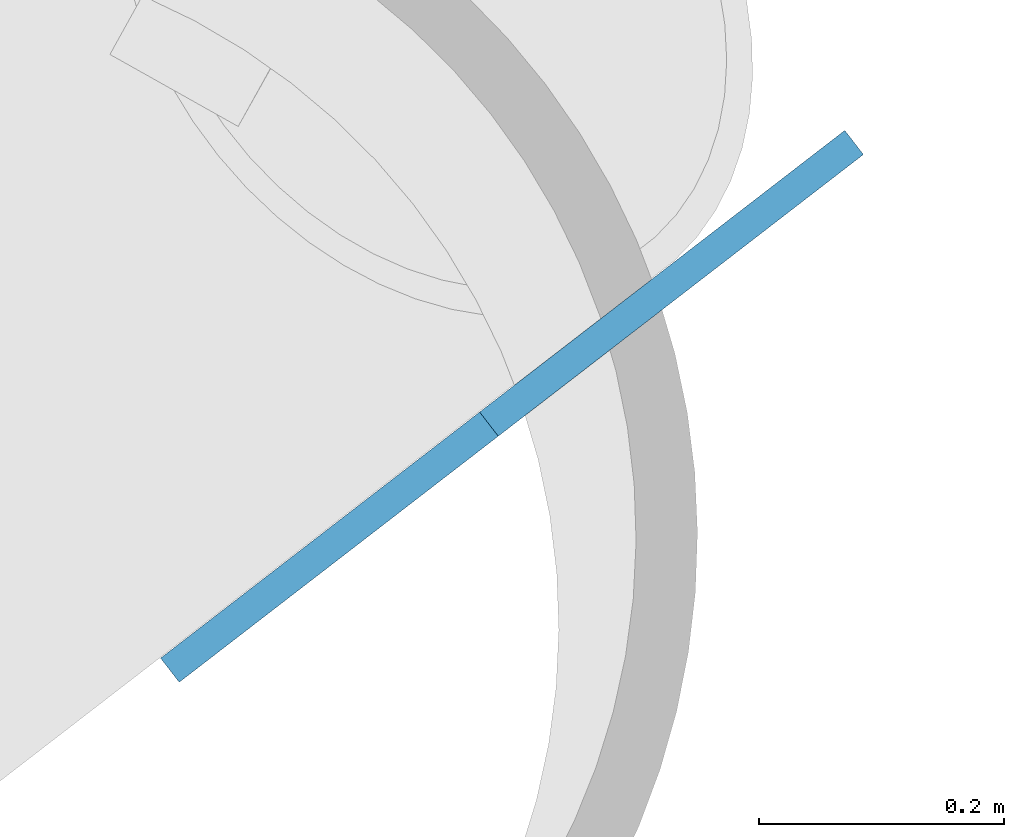
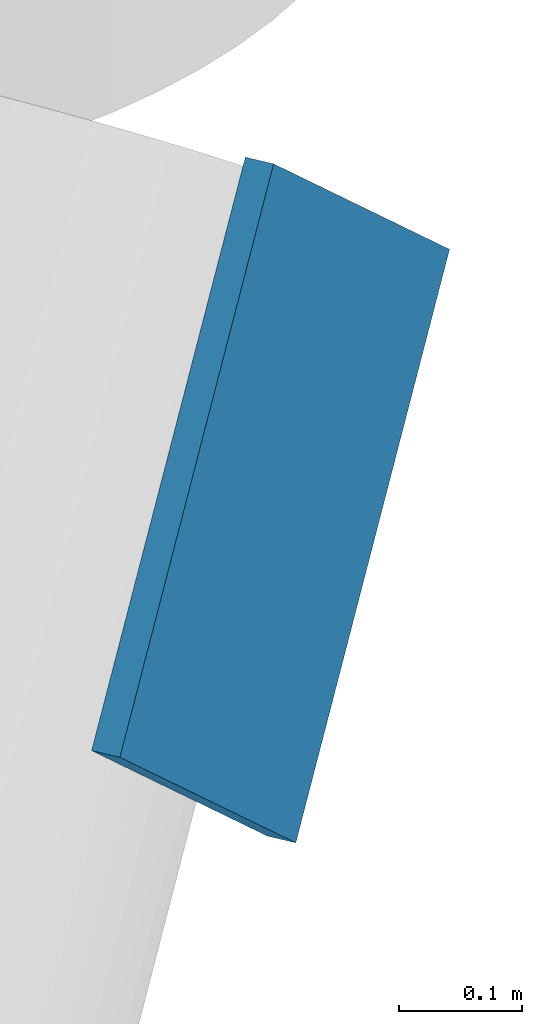
# One storey, part 12 of 22: 1 discrete accessory.
"""IFC4 building model written with IfcOpenShell, lengths in metres."""

from ifc_helpers import new_model, si_unit, direction, frame, origin, origin_2d, place, context, subcontext, project, spatial, rectangle, extrude, material, material_profile, profile_set, type_object, element, save


model = new_model("IFC4")

# Units and contexts
model_context = context("Model", 3, precision=1e-05, world=origin(), true_north=direction((0.0, 1.0)))
body_context = subcontext(model_context, "Body", "Model", "MODEL_VIEW")
ifc_project = project(units=[si_unit("LENGTHUNIT", "METRE"), si_unit("AREAUNIT", "SQUARE_METRE"), si_unit("VOLUMEUNIT", "CUBIC_METRE"), si_unit("PLANEANGLEUNIT", "RADIAN"), si_unit("MASSUNIT", "GRAM", prefix="KILO")], contexts=[model_context])

# Site, building, storey
site_placement = place(None, origin())
site = spatial("IfcSite", under=ifc_project, at=site_placement, CompositionType="ELEMENT")
building_placement = place(site_placement, origin())
building = spatial("IfcBuilding", under=site, at=building_placement, Name="Tarsis Ring Headquarters", CompositionType="ELEMENT")
storey_placement = place(building_placement, frame((0.0, 0.0, 79.0)))
storey = spatial("IfcBuildingStorey", under=building, at=storey_placement, Name="L17", CompositionType="ELEMENT", Elevation=79.0)

# Discrete accessory
ifc_material = material(Name="Structural steel S355", Category="steel")
ifc_material_profile = material_profile(ifc_material, rectangle(XDim=0.02490234375, YDim=0.5, at=origin_2d()), Name="PL 25x500")
ifc_profile_set = profile_set([ifc_material_profile], Name="Structural steel S355")
discrete_accessory_type = type_object("IfcDiscreteAccessoryType", Name="Gusset plate Exo brace 25", PredefinedType="BRACKET", material=ifc_profile_set)
discrete_accessory_placement = place(storey_placement, frame((22.412109375, -18.9638671875, 7.800048828125), z_axis=(-0.520849395535, -0.401742317268, -0.753205826907), x_axis=(0.610750282834, -0.791823270697, 0.0)))
element("IfcDiscreteAccessory", 1, at=discrete_accessory_placement, inside=storey, type_object=discrete_accessory_type, Name="Gusset plate GP5", PredefinedType="BRACKET", context=body_context, shape_type="SweptSolid", body=[
    extrude(rectangle(XDim=0.02490234375, YDim=0.5, at=origin_2d()), origin(), (0.0, 0.0, 1.0), 0.500244140625),
])

save(model, "model.ifc")
